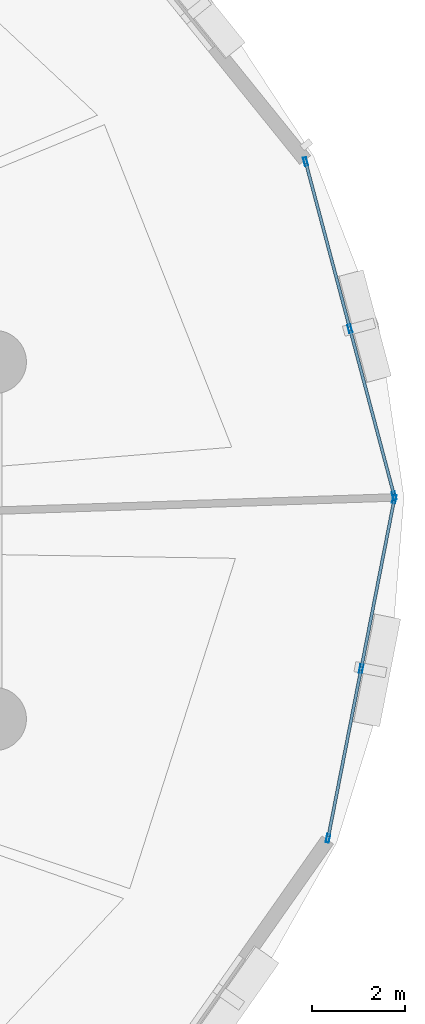
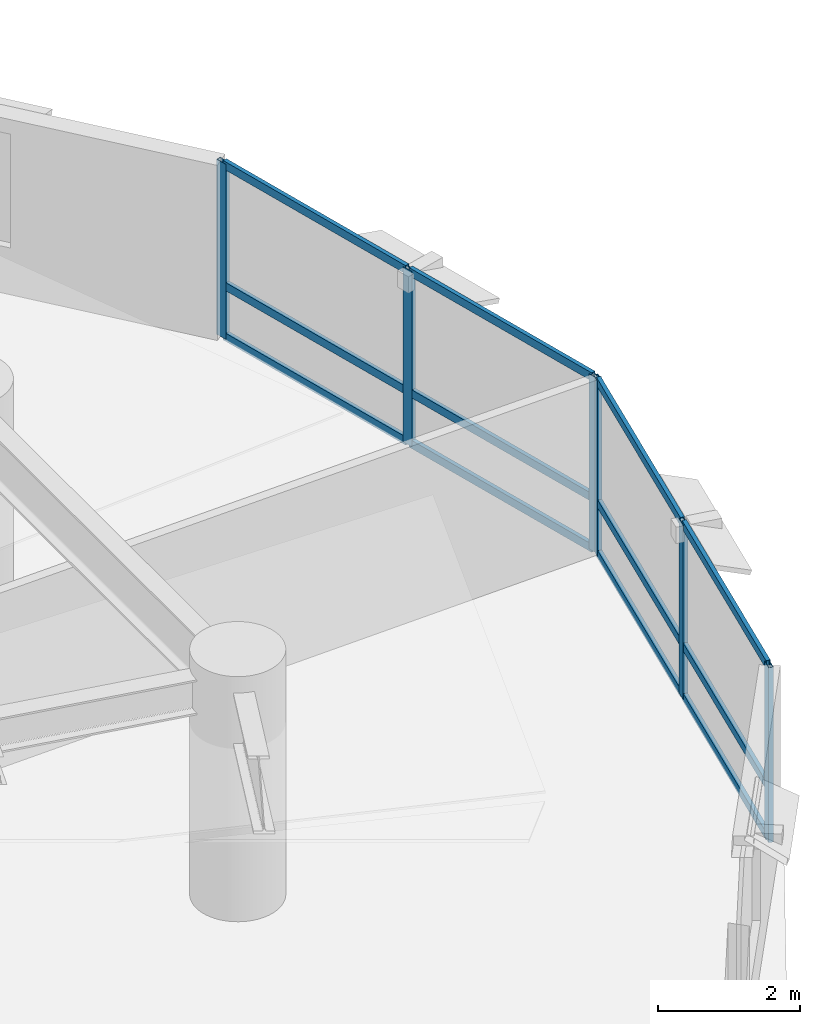
# One storey, part 8 of 15: 18 members, 2 elements without a shape of their own.
"""IFC4 building model written with IfcOpenShell, lengths in metres."""

from ifc_helpers import new_model, si_unit, direction, frame, origin, origin_2d, place, context, subcontext, project, spatial, hollow_rectangle, extrude, material, layer, layer_set, material_profile, profile_set, type_object, element, aggregate, save


model = new_model("IFC4")

# Units and contexts
model_context = context("Model", 3, precision=1e-05, world=origin(), true_north=direction((0.0, 1.0)))
body_context = subcontext(model_context, "Body", "Model", "MODEL_VIEW")
ifc_project = project(units=[si_unit("LENGTHUNIT", "METRE"), si_unit("AREAUNIT", "SQUARE_METRE"), si_unit("VOLUMEUNIT", "CUBIC_METRE"), si_unit("PLANEANGLEUNIT", "RADIAN"), si_unit("MASSUNIT", "GRAM", prefix="KILO"), si_unit("THERMODYNAMICTEMPERATUREUNIT", "KELVIN"), si_unit("POWERUNIT", "WATT")], contexts=[model_context])

# Site, building, storey
site_placement = place(None, origin())
site = spatial("IfcSite", under=ifc_project, at=site_placement, CompositionType="ELEMENT")
building_placement = place(site_placement, origin())
building = spatial("IfcBuilding", under=site, at=building_placement, Name="Ocrelia Relay Tower", CompositionType="ELEMENT")
storey_placement = place(building_placement, frame((0.0, 0.0, 38.39990234375)))
storey = spatial("IfcBuildingStorey", under=building, at=storey_placement, Name="L08", CompositionType="ELEMENT", Elevation=38.39990234375)

# Curtain wall, members
ifc_material_1 = material(Name="Aluminium and solar-control low-E glass", Category="aluminium")
ifc_layer = layer(ifc_material_1, 0.179931640625, Name="Aluminium and solar-control low-E glass")
ifc_layer_set = layer_set([ifc_layer], Name="Aluminium and solar-control low-E glass")
curtain_wall_type = type_object("IfcCurtainWallType", Name="CW-SYS-Z1-DATA", PredefinedType="NOTDEFINED", material=ifc_layer_set)
curtain_wall_1_placement = place(storey_placement, origin())
curtain_wall_1 = element("IfcCurtainWall", 1, at=curtain_wall_1_placement, inside=storey, type_object=curtain_wall_type, Name="L08 Elliptical Tower Curtain Wall Bay 01", PredefinedType="NOTDEFINED")
ifc_material_2 = material(Name="Anodised bronze aluminium", Category="aluminium")
ifc_material_profile_1 = material_profile(ifc_material_2, hollow_rectangle(XDim=0.070068359375, YDim=0.179931640625, WallThickness=0.006103515625, at=origin_2d()), Name="CW-MUL-180x70")
ifc_profile_set_1 = profile_set([ifc_material_profile_1], Name="Anodised bronze aluminium")
member_type_1 = type_object("IfcMemberType", Name="CW-SYS-Z1-DATA-MUL", PredefinedType="MULLION", material=ifc_profile_set_1)
member_1_placement = place(storey_placement, frame((61.775634765625, 26.95556640625, 0.0), z_axis=(0.0, 0.0, 1.0), x_axis=(-0.966557227104, -0.256451022093, 0.0)))
member_1 = element("IfcMember", 2, at=member_1_placement, type_object=member_type_1, Name="CW-Z1 mullion 1", PredefinedType="MULLION", context=body_context, shape_type="SweptSolid", body=[
    extrude(hollow_rectangle(XDim=0.070068359375, YDim=0.179931640625, WallThickness=0.006103515625, at=origin_2d()), origin(), (0.0, 0.0, 1.0), 3.0),
])
member_2_placement = place(storey_placement, frame((60.826171875, 30.534423828125, 0.0), z_axis=(0.0, 0.0, 1.0), x_axis=(-0.966557227104, -0.256451022093, 0.0)))
member_2 = element("IfcMember", 3, at=member_2_placement, type_object=member_type_1, Name="CW-Z1 mullion 2", PredefinedType="MULLION", context=body_context, shape_type="SweptSolid", body=[
    extrude(hollow_rectangle(XDim=0.070068359375, YDim=0.179931640625, WallThickness=0.006103515625, at=origin_2d()), origin(), (0.0, 0.0, 1.0), 3.0),
])
member_3_placement = place(storey_placement, frame((59.87646484375, 34.11328125, 0.0), z_axis=(0.0, 0.0, 1.0), x_axis=(-0.966557227104, -0.256451022093, 0.0)))
member_3 = element("IfcMember", 4, at=member_3_placement, type_object=member_type_1, Name="CW-Z1 mullion 3", PredefinedType="MULLION", context=body_context, shape_type="SweptSolid", body=[
    extrude(hollow_rectangle(XDim=0.070068359375, YDim=0.179931640625, WallThickness=0.006103515625, at=origin_2d()), origin(), (0.0, 0.0, 1.0), 3.0),
])

curtain_wall_2_placement = place(storey_placement, origin())
curtain_wall_2 = element("IfcCurtainWall", 5, at=curtain_wall_2_placement, inside=storey, type_object=curtain_wall_type, Name="L08 Elliptical Tower Curtain Wall Bay 18", PredefinedType="NOTDEFINED")
member_4_placement = place(storey_placement, frame((60.357421875, 19.619384765625, 0.0), z_axis=(0.0, 0.0, 1.0), x_axis=(-0.981425958071, 0.19184131157, 0.0)))
member_4 = element("IfcMember", 6, at=member_4_placement, type_object=member_type_1, Name="CW-Z1 mullion 1", PredefinedType="MULLION", context=body_context, shape_type="SweptSolid", body=[
    extrude(hollow_rectangle(XDim=0.070068359375, YDim=0.179931640625, WallThickness=0.006103515625, at=origin_2d()), origin(), (0.0, 0.0, 1.0), 3.0),
])
member_5_placement = place(storey_placement, frame((61.067626953125, 23.25341796875, 0.0), z_axis=(0.0, 0.0, 1.0), x_axis=(-0.981425958071, 0.19184131157, 0.0)))
member_5 = element("IfcMember", 7, at=member_5_placement, type_object=member_type_1, Name="CW-Z1 mullion 2", PredefinedType="MULLION", context=body_context, shape_type="SweptSolid", body=[
    extrude(hollow_rectangle(XDim=0.070068359375, YDim=0.179931640625, WallThickness=0.006103515625, at=origin_2d()), origin(), (0.0, 0.0, 1.0), 3.0),
])
member_6_placement = place(storey_placement, frame((61.778076171875, 26.887451171875, 0.0), z_axis=(0.0, 0.0, 1.0), x_axis=(-0.981425958071, 0.19184131157, 0.0)))
member_6 = element("IfcMember", 8, at=member_6_placement, type_object=member_type_1, Name="CW-Z1 mullion 3", PredefinedType="MULLION", context=body_context, shape_type="SweptSolid", body=[
    extrude(hollow_rectangle(XDim=0.070068359375, YDim=0.179931640625, WallThickness=0.006103515625, at=origin_2d()), origin(), (0.0, 0.0, 1.0), 3.0),
])

# Member
ifc_material_profile_2 = material_profile(ifc_material_2, hollow_rectangle(XDim=0.06494140625, YDim=0.139892578125, WallThickness=0.0048828125, at=origin_2d()), Name="CW-TRN-140x65")
ifc_profile_set_2 = profile_set([ifc_material_profile_2], Name="Anodised bronze aluminium")
member_type_2 = type_object("IfcMemberType", Name="CW-SYS-Z1-DATA-TRN", PredefinedType="USERDEFINED", material=ifc_profile_set_2)
member_7_placement = place(storey_placement, frame((61.766845703125, 26.9892578125, 0.03271484375), z_axis=(-0.256441105392, 0.966559858191, 0.0), x_axis=(-0.966559858191, -0.256441105392, 0.0)))
member_7 = element("IfcMember", 9, at=member_7_placement, type_object=member_type_2, Name="CW-Z1 transom 1.1", ObjectType="TRANSOM", PredefinedType="USERDEFINED", context=body_context, shape_type="SweptSolid", body=[
    extrude(hollow_rectangle(XDim=0.06494140625, YDim=0.139892578125, WallThickness=0.0048828125, at=origin_2d()), origin(), (0.0, 0.0, 1.0), 3.633056640625),
])

member_8_placement = place(storey_placement, frame((61.766845703125, 26.9892578125, 0.900146484375), z_axis=(-0.256441105392, 0.966559858191, 0.0), x_axis=(-0.966559858191, -0.256441105392, 0.0)))
member_8 = element("IfcMember", 10, at=member_8_placement, type_object=member_type_2, Name="CW-Z1 transom 1.2", ObjectType="TRANSOM", PredefinedType="USERDEFINED", context=body_context, shape_type="SweptSolid", body=[
    extrude(hollow_rectangle(XDim=0.06494140625, YDim=0.139892578125, WallThickness=0.0048828125, at=origin_2d()), origin(), (0.0, 0.0, 1.0), 3.633056640625),
])

member_9_placement = place(storey_placement, frame((61.766845703125, 26.9892578125, 2.967529296875), z_axis=(-0.256441105392, 0.966559858191, 0.0), x_axis=(-0.966559858191, -0.256441105392, 0.0)))
member_9 = element("IfcMember", 11, at=member_9_placement, type_object=member_type_2, Name="CW-Z1 transom 1.3", ObjectType="TRANSOM", PredefinedType="USERDEFINED", context=body_context, shape_type="SweptSolid", body=[
    extrude(hollow_rectangle(XDim=0.06494140625, YDim=0.139892578125, WallThickness=0.0048828125, at=origin_2d()), origin(), (0.0, 0.0, 1.0), 3.633056640625),
])

member_10_placement = place(storey_placement, frame((60.817138671875, 30.568359375, 0.03271484375), z_axis=(-0.256457763393, 0.966555438449, 0.0), x_axis=(-0.966555438449, -0.256457763393, 0.0)))
member_10 = element("IfcMember", 12, at=member_10_placement, type_object=member_type_2, Name="CW-Z1 transom 2.1", ObjectType="TRANSOM", PredefinedType="USERDEFINED", context=body_context, shape_type="SweptSolid", body=[
    extrude(hollow_rectangle(XDim=0.06494140625, YDim=0.139892578125, WallThickness=0.0048828125, at=origin_2d()), origin(), (0.0, 0.0, 1.0), 3.6328125),
])

member_11_placement = place(storey_placement, frame((60.817138671875, 30.568359375, 0.900146484375), z_axis=(-0.256457763393, 0.966555438449, 0.0), x_axis=(-0.966555438449, -0.256457763393, 0.0)))
member_11 = element("IfcMember", 13, at=member_11_placement, type_object=member_type_2, Name="CW-Z1 transom 2.2", ObjectType="TRANSOM", PredefinedType="USERDEFINED", context=body_context, shape_type="SweptSolid", body=[
    extrude(hollow_rectangle(XDim=0.06494140625, YDim=0.139892578125, WallThickness=0.0048828125, at=origin_2d()), origin(), (0.0, 0.0, 1.0), 3.6328125),
])

member_12_placement = place(storey_placement, frame((60.817138671875, 30.568359375, 2.967529296875), z_axis=(-0.256457763393, 0.966555438449, 0.0), x_axis=(-0.966555438449, -0.256457763393, 0.0)))
member_12 = element("IfcMember", 14, at=member_12_placement, type_object=member_type_2, Name="CW-Z1 transom 2.3", ObjectType="TRANSOM", PredefinedType="USERDEFINED", context=body_context, shape_type="SweptSolid", body=[
    extrude(hollow_rectangle(XDim=0.06494140625, YDim=0.139892578125, WallThickness=0.0048828125, at=origin_2d()), origin(), (0.0, 0.0, 1.0), 3.6328125),
])

aggregate(curtain_wall_1, [member_1, member_2, member_3, member_7, member_8, member_9, member_10, member_11, member_12])

member_13_placement = place(storey_placement, frame((60.364013671875, 19.65380859375, 0.03271484375), z_axis=(0.191875111006, 0.981419350622, 0.0), x_axis=(-0.981419350622, 0.191875111006, 0.0)))
member_13 = element("IfcMember", 15, at=member_13_placement, type_object=member_type_2, Name="CW-Z1 transom 1.1", ObjectType="TRANSOM", PredefinedType="USERDEFINED", context=body_context, shape_type="SweptSolid", body=[
    extrude(hollow_rectangle(XDim=0.06494140625, YDim=0.139892578125, WallThickness=0.0048828125, at=origin_2d()), origin(), (0.0, 0.0, 1.0), 3.632568359375),
])

member_14_placement = place(storey_placement, frame((60.364013671875, 19.65380859375, 0.900146484375), z_axis=(0.191875111006, 0.981419350622, 0.0), x_axis=(-0.981419350622, 0.191875111006, 0.0)))
member_14 = element("IfcMember", 16, at=member_14_placement, type_object=member_type_2, Name="CW-Z1 transom 1.2", ObjectType="TRANSOM", PredefinedType="USERDEFINED", context=body_context, shape_type="SweptSolid", body=[
    extrude(hollow_rectangle(XDim=0.06494140625, YDim=0.139892578125, WallThickness=0.0048828125, at=origin_2d()), origin(), (0.0, 0.0, 1.0), 3.632568359375),
])

member_15_placement = place(storey_placement, frame((60.364013671875, 19.65380859375, 2.967529296875), z_axis=(0.191875111006, 0.981419350622, 0.0), x_axis=(-0.981419350622, 0.191875111006, 0.0)))
member_15 = element("IfcMember", 17, at=member_15_placement, type_object=member_type_2, Name="CW-Z1 transom 1.3", ObjectType="TRANSOM", PredefinedType="USERDEFINED", context=body_context, shape_type="SweptSolid", body=[
    extrude(hollow_rectangle(XDim=0.06494140625, YDim=0.139892578125, WallThickness=0.0048828125, at=origin_2d()), origin(), (0.0, 0.0, 1.0), 3.632568359375),
])

member_16_placement = place(storey_placement, frame((61.074462890625, 23.287841796875, 0.03271484375), z_axis=(0.191810377346, 0.98143200434, 0.0), x_axis=(-0.98143200434, 0.191810377346, 0.0)))
member_16 = element("IfcMember", 18, at=member_16_placement, type_object=member_type_2, Name="CW-Z1 transom 2.1", ObjectType="TRANSOM", PredefinedType="USERDEFINED", context=body_context, shape_type="SweptSolid", body=[
    extrude(hollow_rectangle(XDim=0.06494140625, YDim=0.139892578125, WallThickness=0.0048828125, at=origin_2d()), origin(), (0.0, 0.0, 1.0), 3.632568359375),
])

member_17_placement = place(storey_placement, frame((61.074462890625, 23.287841796875, 0.900146484375), z_axis=(0.191810377346, 0.98143200434, 0.0), x_axis=(-0.98143200434, 0.191810377346, 0.0)))
member_17 = element("IfcMember", 19, at=member_17_placement, type_object=member_type_2, Name="CW-Z1 transom 2.2", ObjectType="TRANSOM", PredefinedType="USERDEFINED", context=body_context, shape_type="SweptSolid", body=[
    extrude(hollow_rectangle(XDim=0.06494140625, YDim=0.139892578125, WallThickness=0.0048828125, at=origin_2d()), origin(), (0.0, 0.0, 1.0), 3.632568359375),
])

member_18_placement = place(storey_placement, frame((61.074462890625, 23.287841796875, 2.967529296875), z_axis=(0.191810377346, 0.98143200434, 0.0), x_axis=(-0.98143200434, 0.191810377346, 0.0)))
member_18 = element("IfcMember", 20, at=member_18_placement, type_object=member_type_2, Name="CW-Z1 transom 2.3", ObjectType="TRANSOM", PredefinedType="USERDEFINED", context=body_context, shape_type="SweptSolid", body=[
    extrude(hollow_rectangle(XDim=0.06494140625, YDim=0.139892578125, WallThickness=0.0048828125, at=origin_2d()), origin(), (0.0, 0.0, 1.0), 3.632568359375),
])

aggregate(curtain_wall_2, [member_4, member_5, member_6, member_13, member_14, member_15, member_16, member_17, member_18])

save(model, "model.ifc")
